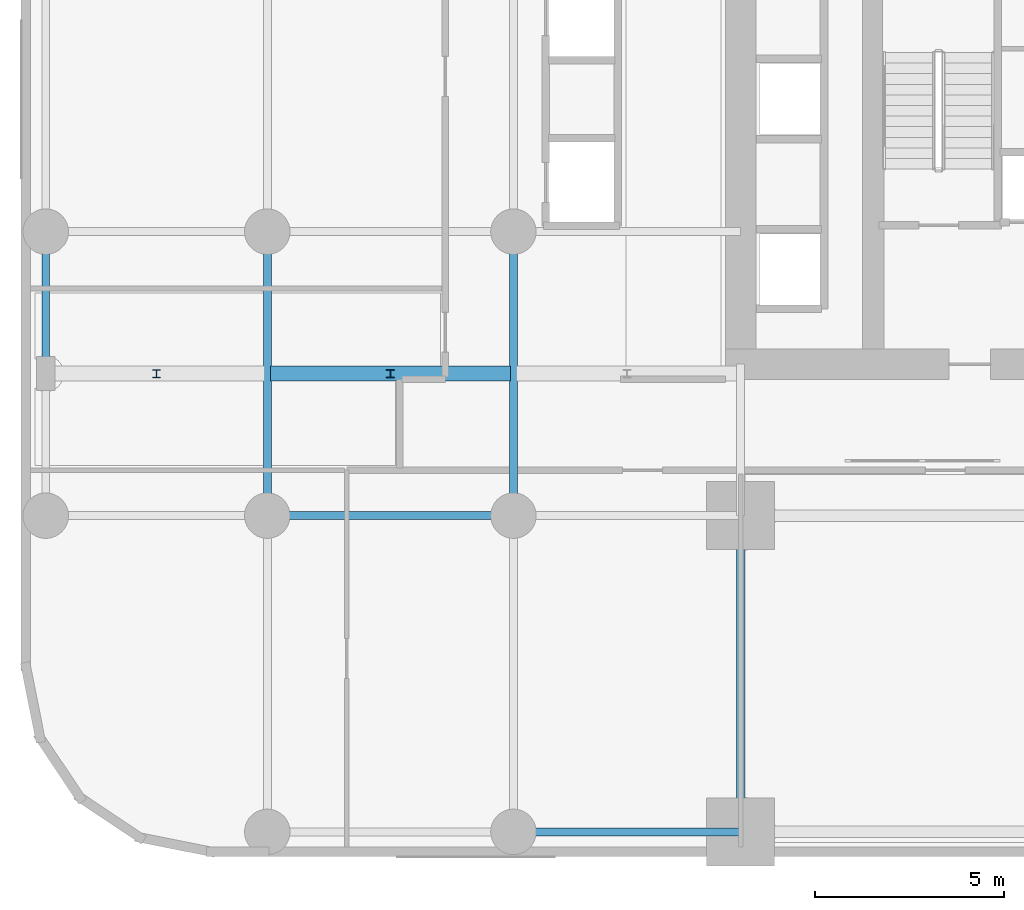
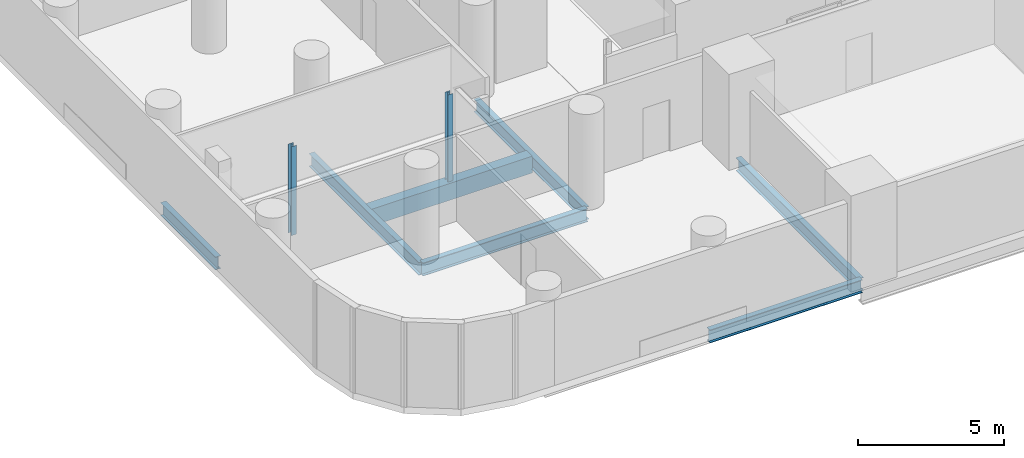
# One storey, part 2 of 15: 7 beams, 2 members.
"""IFC4 building model written with IfcOpenShell, lengths in metres."""

from ifc_helpers import new_model, si_unit, direction, frame, origin, origin_2d, place, context, subcontext, project, spatial, rectangle, i_section, extrude, material, material_profile, profile_set, type_object, element, save


model = new_model("IFC4")

# Units and contexts
model_context = context("Model", 3, precision=1e-05, world=origin(), true_north=direction((0.0, 1.0)))
body_context = subcontext(model_context, "Body", "Model", "MODEL_VIEW")
ifc_project = project(units=[si_unit("LENGTHUNIT", "METRE"), si_unit("AREAUNIT", "SQUARE_METRE"), si_unit("VOLUMEUNIT", "CUBIC_METRE"), si_unit("PLANEANGLEUNIT", "RADIAN"), si_unit("MASSUNIT", "GRAM", prefix="KILO")], contexts=[model_context])

# Site, building, storey
site_placement = place(None, origin())
site = spatial("IfcSite", under=ifc_project, at=site_placement, CompositionType="ELEMENT")
building_placement = place(site_placement, origin())
building = spatial("IfcBuilding", under=site, at=building_placement, Name="Veldorim Arch Residences", CompositionType="ELEMENT")
storey_placement = place(building_placement, frame((0.0, 0.0, 16.0)))
storey = spatial("IfcBuildingStorey", under=building, at=storey_placement, Name="L04", CompositionType="ELEMENT", Elevation=16.0)

# Beams
ifc_material_1 = material(Name="Concrete C50/60", Category="concrete")
ifc_material_profile_1 = material_profile(ifc_material_1, rectangle(XDim=0.39990234375, YDim=0.699951171875, at=origin_2d()), Name="RC_RECT_400x700")
ifc_profile_set_1 = profile_set([ifc_material_profile_1], Name="Concrete C50/60")
beam_type_1 = type_object("IfcBeamType", Name="Reinforced Concrete Lintel RC_RECT_400x700", PredefinedType="LINTEL", material=ifc_profile_set_1)
beam_1_placement = place(storey_placement, frame((10.580078125, 16.75, -0.6298828125), z_axis=(1.0, 0.0, 0.0), x_axis=(0.0, 1.0, 0.0)))
element("IfcBeam", 1, at=beam_1_placement, inside=storey, type_object=beam_type_1, Name="L04 clinic opening structural lintel 02", PredefinedType="LINTEL", context=body_context, shape_type="SweptSolid", body=[
    extrude(rectangle(XDim=0.39990234375, YDim=0.699951171875, at=origin_2d()), origin(), (0.0, 0.0, 1.0), 6.33984375),
])
ifc_material_2 = material(Name="Steel S355", Category="steel")
ifc_material_profile_2 = material_profile(ifc_material_2, i_section(OverallWidth=0.2099609375, OverallDepth=0.53662109375, WebThickness=0.0107421875, FlangeThickness=0.017333984375, at=origin_2d()), Name="UB533x210x101")
ifc_profile_set_2 = profile_set([ifc_material_profile_2], Name="Steel S355")
beam_type_2 = type_object("IfcBeamType", Name="Structural Steel Beam UB533x210x101", PredefinedType="BEAM", material=ifc_profile_set_2)
beam_2_placement = place(storey_placement, frame((4.64990234375, 16.75, -0.54833984375), z_axis=(0.0, 1.0, 0.0), x_axis=(-1.0, 0.0, 0.0)))
element("IfcBeam", 2, at=beam_2_placement, inside=storey, type_object=beam_type_2, Name="L04 north-south floor beam (X=4.7, 16.8-20.5)", PredefinedType="BEAM", context=body_context, shape_type="SweptSolid", body=[
    extrude(i_section(OverallWidth=0.2099609375, OverallDepth=0.53662109375, WebThickness=0.0107421875, FlangeThickness=0.017333984375, at=origin_2d()), origin(), (0.0, 0.0, 1.0), 3.75),
])
for number, where, z_axis, x_axis, name in (
    (3, (10.5, 13.0, -0.54833984375), (0.0, 1.0, 0.0), (-1.0, 0.0, 0.0), "L04 north-south floor beam (X=10.5, 13.0-20.5)"),
    (4, (17.0, 13.0, -0.54833984375), (0.0, 1.0, 0.0), (-1.0, 0.0, 0.0), "L04 north-south floor beam (X=17.0, 13.0-20.5)"),
):
    element("IfcBeam", number, at=place(storey_placement, frame(where, z_axis=z_axis, x_axis=x_axis)), inside=storey, type_object=beam_type_2, Name=name, PredefinedType="BEAM", context=body_context, shape_type="SweptSolid", body=[
        extrude(i_section(OverallWidth=0.2099609375, OverallDepth=0.53662109375, WebThickness=0.0107421875, FlangeThickness=0.017333984375, at=origin_2d()), origin(), (0.0, 0.0, 1.0), 7.5),
    ])
beam_3_placement = place(storey_placement, frame((23.0, 4.64990234375, -0.54833984375), z_axis=(0.0, 1.0, 0.0), x_axis=(-1.0, 0.0, 0.0)))
element("IfcBeam", 5, at=beam_3_placement, inside=storey, type_object=beam_type_2, Name="L04 north-south floor beam (X=23.0, 4.7-13.0)", PredefinedType="BEAM", context=body_context, shape_type="SweptSolid", body=[
    extrude(i_section(OverallWidth=0.2099609375, OverallDepth=0.53662109375, WebThickness=0.0107421875, FlangeThickness=0.017333984375, at=origin_2d()), origin(), (0.0, 0.0, 1.0), 8.35009765625),
])
ifc_material_3 = material(Name="Steel S355", Category="steel")
ifc_material_profile_3 = material_profile(ifc_material_3, i_section(OverallWidth=0.2119140625, OverallDepth=0.54443359375, WebThickness=0.0126953125, FlangeThickness=0.021240234375, at=origin_2d()), Name="UB533x210x122")
ifc_profile_set_3 = profile_set([ifc_material_profile_3], Name="Steel S355")
beam_type_3 = type_object("IfcBeamType", Name="Structural Steel Beam UB533x210x122", PredefinedType="BEAM", material=ifc_profile_set_3)
beam_4_placement = place(storey_placement, frame((17.0, 4.64990234375, -0.55224609375), z_axis=(1.0, 0.0, 0.0), x_axis=(0.0, 1.0, 0.0)))
element("IfcBeam", 6, at=beam_4_placement, inside=storey, type_object=beam_type_3, Name="L04 east-west floor beam (17.0-23.0, Y=4.7)", PredefinedType="BEAM", context=body_context, shape_type="SweptSolid", body=[
    extrude(i_section(OverallWidth=0.2119140625, OverallDepth=0.54443359375, WebThickness=0.0126953125, FlangeThickness=0.021240234375, at=origin_2d()), origin(), (0.0, 0.0, 1.0), 6.0),
])
beam_5_placement = place(storey_placement, frame((10.5, 13.0, -0.55224609375), z_axis=(1.0, 0.0, 0.0), x_axis=(0.0, 1.0, 0.0)))
element("IfcBeam", 7, at=beam_5_placement, inside=storey, type_object=beam_type_3, Name="L04 east-west floor beam (10.5-17.0, Y=13.0)", PredefinedType="BEAM", context=body_context, shape_type="SweptSolid", body=[
    extrude(i_section(OverallWidth=0.2119140625, OverallDepth=0.54443359375, WebThickness=0.0126953125, FlangeThickness=0.021240234375, at=origin_2d()), origin(), (0.0, 0.0, 1.0), 6.5),
])

# Members
ifc_material_4 = material(Name="Steel S355", Category="steel")
ifc_material_profile_4 = material_profile(ifc_material_4, i_section(OverallWidth=0.205810546875, OverallDepth=0.209716796875, WebThickness=0.009521484375, FlangeThickness=0.01416015625, at=origin_2d()), Name="UC203x203x60")
ifc_profile_set_4 = profile_set([ifc_material_profile_4], Name="Steel S355")
member_type = type_object("IfcMemberType", Name="Truss Post UC203x203x60", PredefinedType="POST", material=ifc_profile_set_4)
for number, where, z_axis, x_axis, name in (
    (8, (7.574951171875, 16.75, -0.35009765625), (0.0, 0.0, 1.0), (1.0, 0.0, 0.0), "L04 mechanical riser trimmer post 01"),
    (9, (13.75, 16.75, -0.35009765625), (0.0, 0.0, 1.0), (1.0, 0.0, 0.0), "L04 mechanical riser trimmer post 02"),
):
    element("IfcMember", number, at=place(storey_placement, frame(where, z_axis=z_axis, x_axis=x_axis)), inside=storey, type_object=member_type, Name=name, PredefinedType="POST", context=body_context, shape_type="SweptSolid", body=[
        extrude(i_section(OverallWidth=0.205810546875, OverallDepth=0.209716796875, WebThickness=0.009521484375, FlangeThickness=0.01416015625, at=origin_2d()), origin(), (0.0, 0.0, 1.0), 3.7001953125),
    ])

save(model, "model.ifc")
